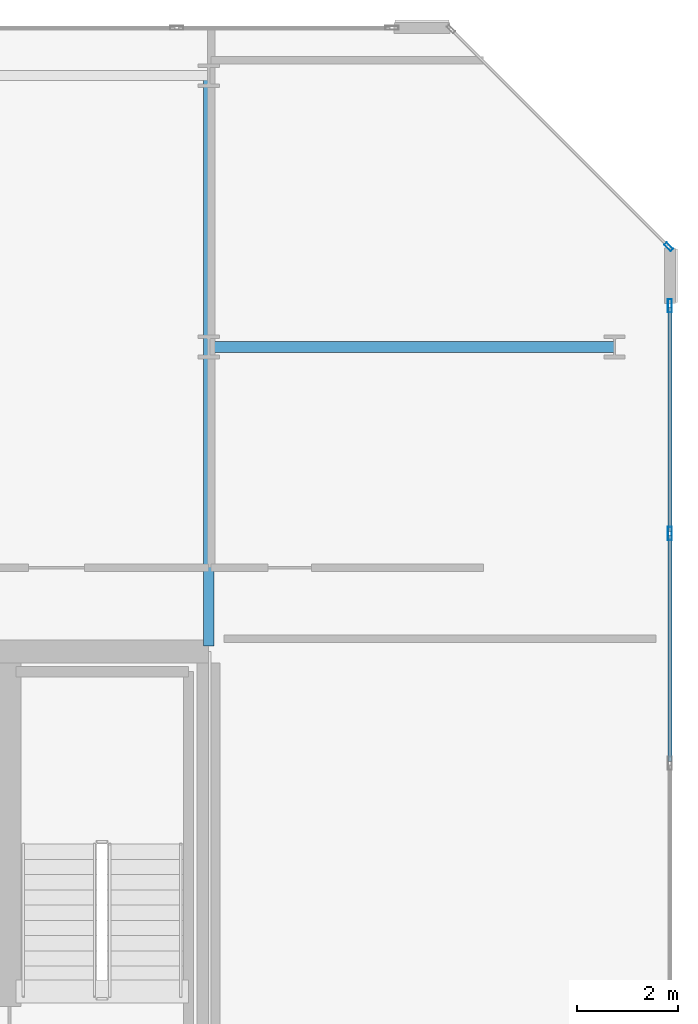
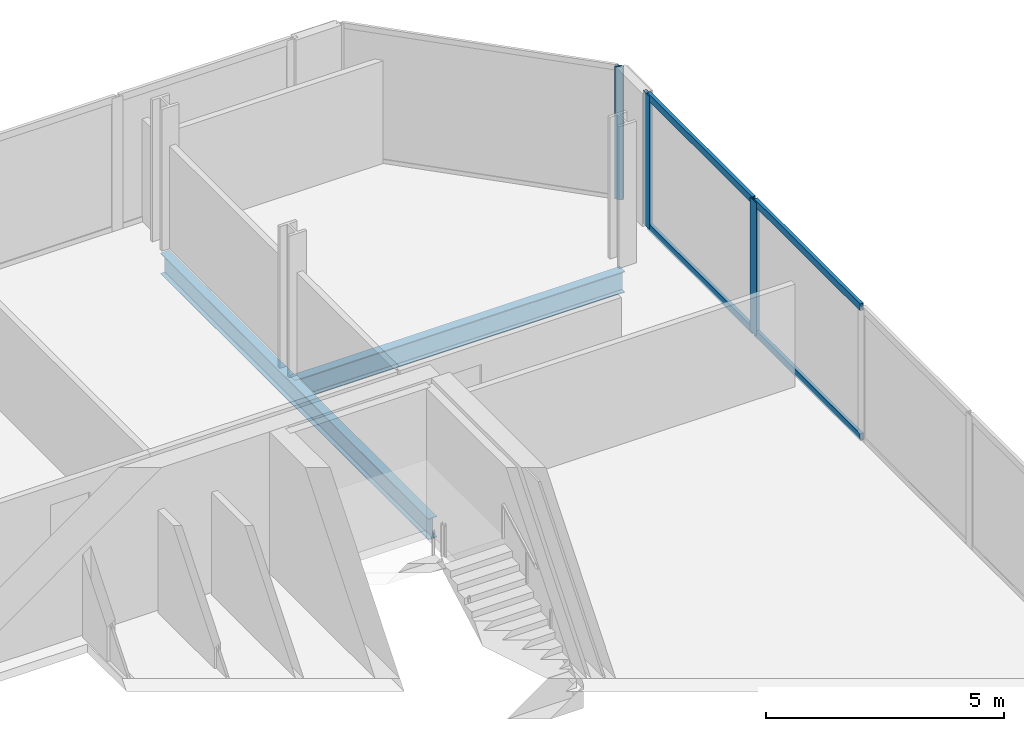
# One storey, part 11 of 19: 7 members, 2 beams, 2 elements without a shape of their own.
"""IFC4 building model written with IfcOpenShell, lengths in metres."""

from ifc_helpers import new_model, si_unit, direction, frame, origin, origin_2d, place, context, subcontext, project, spatial, hollow_rectangle, i_section, extrude, material, layer, layer_set, material_profile, profile_set, type_object, element, aggregate, save


model = new_model("IFC4")

# Units and contexts
model_context = context("Model", 3, precision=1e-05, world=origin(), true_north=direction((0.0, 1.0)))
body_context = subcontext(model_context, "Body", "Model", "MODEL_VIEW")
ifc_project = project(units=[si_unit("LENGTHUNIT", "METRE"), si_unit("AREAUNIT", "SQUARE_METRE"), si_unit("VOLUMEUNIT", "CUBIC_METRE"), si_unit("PLANEANGLEUNIT", "RADIAN"), si_unit("MASSUNIT", "GRAM", prefix="KILO")], contexts=[model_context])

# Site, building, storey
site_placement = place(None, origin())
site = spatial("IfcSite", under=ifc_project, at=site_placement, CompositionType="ELEMENT")
building_placement = place(site_placement, origin())
building = spatial("IfcBuilding", under=site, at=building_placement, Name="Tanjung Sevakor Pilgrim Tower", CompositionType="ELEMENT")
storey_placement = place(building_placement, frame((0.0, 0.0, 260.699951171875)))
storey = spatial("IfcBuildingStorey", under=building, at=storey_placement, Name="L73", CompositionType="ELEMENT", Elevation=260.699951171875)

# Beams
ifc_material_1 = material(Name="Steel S355J2", Category="steel")
ifc_material_profile_1 = material_profile(ifc_material_1, i_section(OverallWidth=0.2119140625, OverallDepth=0.54443359375, WebThickness=0.0126953125, FlangeThickness=0.021240234375, FilletRadius=0.0126953125, at=origin_2d()))
ifc_profile_set_1 = profile_set([ifc_material_profile_1], Name="Steel S355J2")
beam_type_1 = type_object("IfcBeamType", Name="BM-B-G5-UB_533x210x122", PredefinedType="BEAM", material=ifc_profile_set_1)
beam_1_placement = place(storey_placement, frame((90.0, 48.60009765625, -0.4921875), z_axis=(1.0, 0.0, 0.0), x_axis=(0.0, 1.0, 0.0)))
element("IfcBeam", 1, at=beam_1_placement, inside=storey, type_object=beam_type_1, Name="L73 East Peak Wing Girder Y48.6", PredefinedType="BEAM", context=body_context, shape_type="SweptSolid", body=[
    extrude(i_section(OverallWidth=0.2119140625, OverallDepth=0.54443359375, WebThickness=0.0126953125, FlangeThickness=0.021240234375, FilletRadius=0.0126953125, at=origin_2d()), origin(), (0.0, 0.0, 1.0), 8.0),
])
ifc_material_2 = material(Name="Steel S355J2", Category="steel")
ifc_material_profile_2 = material_profile(ifc_material_2, i_section(OverallWidth=0.210693359375, OverallDepth=0.53955078125, WebThickness=0.01171875, FlangeThickness=0.018798828125, FilletRadius=0.0126953125, at=origin_2d()))
ifc_profile_set_2 = profile_set([ifc_material_profile_2], Name="Steel S355J2")
beam_type_2 = type_object("IfcBeamType", Name="BM-B-G6-UB_533x210x109", PredefinedType="BEAM", material=ifc_profile_set_2)
beam_2_placement = place(storey_placement, frame((90.0, 42.7060546875, -0.48974609375), z_axis=(0.0, 1.0, 0.0), x_axis=(-1.0, 0.0, 0.0)))
element("IfcBeam", 2, at=beam_2_placement, inside=storey, type_object=beam_type_2, Name="L73 EAST Girder 010", PredefinedType="BEAM", context=body_context, shape_type="SweptSolid", body=[
    extrude(i_section(OverallWidth=0.210693359375, OverallDepth=0.53955078125, WebThickness=0.01171875, FlangeThickness=0.018798828125, FilletRadius=0.0126953125, at=origin_2d()), origin(), (0.0, 0.0, 1.0), 11.243896484375),
])

# Curtain wall, member
ifc_material_3 = material(Name="Aluminium 6063-T6 and Low-E Glass", Category="aluminium")
ifc_layer_1 = layer(ifc_material_3, 0.179931640625)
ifc_layer_set_1 = layer_set([ifc_layer_1], Name="CW-SYS-CHAM")
curtain_wall_type_1 = type_object("IfcCurtainWallType", Name="CW-SYS-CHAM", PredefinedType="NOTDEFINED", material=ifc_layer_set_1)
curtain_wall_1_placement = place(storey_placement, origin())
curtain_wall_1 = element("IfcCurtainWall", 3, at=curtain_wall_1_placement, inside=storey, type_object=curtain_wall_type_1, Name="L73 Curtain Wall CW-CHM-L73-EAST-3", PredefinedType="NOTDEFINED")
ifc_material_4 = material(Name="Aluminium 6063-T6", Category="aluminium")
ifc_material_profile_3 = material_profile(ifc_material_4, hollow_rectangle(XDim=0.06494140625, YDim=0.179931640625, WallThickness=0.00390625, at=origin_2d()))
ifc_profile_set_3 = profile_set([ifc_material_profile_3], Name="Aluminium 6063-T6")
member_type_1 = type_object("IfcMemberType", Name="TYPE-CWM-1", PredefinedType="MULLION", material=ifc_profile_set_3)
member_1_placement = place(storey_placement, frame((99.067138671875, 50.577392578125, 0.0), z_axis=(0.0, 0.0, 1.0), x_axis=(-0.707106781187, -0.707106781187, 0.0)))
member_1 = element("IfcMember", 4, at=member_1_placement, type_object=member_type_1, Name="CW-CHM mullion 1", PredefinedType="MULLION", context=body_context, shape_type="SweptSolid", body=[
    extrude(hollow_rectangle(XDim=0.06494140625, YDim=0.179931640625, WallThickness=0.00390625, at=origin_2d()), origin(), (0.0, 0.0, 1.0), 3.41015625),
])
aggregate(curtain_wall_1, [member_1])

# Curtain wall, members
ifc_material_5 = material(Name="Aluminium 6063-T6 and Low-E Glass", Category="aluminium")
ifc_layer_2 = layer(ifc_material_5, 0.219970703125)
ifc_layer_set_2 = layer_set([ifc_layer_2], Name="CW-SYS-CRNE")
curtain_wall_type_2 = type_object("IfcCurtainWallType", Name="CW-SYS-CRNE", PredefinedType="NOTDEFINED", material=ifc_layer_set_2)
curtain_wall_2_placement = place(storey_placement, origin())
curtain_wall_2 = element("IfcCurtainWall", 5, at=curtain_wall_2_placement, inside=storey, type_object=curtain_wall_type_2, Name="L73 Curtain Wall CW-CRN-L73-EAST-2-1", PredefinedType="NOTDEFINED")
ifc_material_6 = material(Name="Aluminium 6063-T6", Category="aluminium")
ifc_material_profile_4 = material_profile(ifc_material_6, hollow_rectangle(XDim=0.080078125, YDim=0.260009765625, WallThickness=0.0048828125, at=origin_2d()))
ifc_profile_set_4 = profile_set([ifc_material_profile_4], Name="Aluminium 6063-T6")
member_type_2 = type_object("IfcMemberType", Name="TYPE-CWM-3", PredefinedType="MULLION", material=ifc_profile_set_4)
member_2_placement = place(storey_placement, frame((99.090087890625, 44.924560546875, 0.0), z_axis=(0.0, 0.0, 1.0), x_axis=(-1.0, 0.0, 0.0)))
member_2 = element("IfcMember", 6, at=member_2_placement, type_object=member_type_2, Name="CW-CRE mullion 7", PredefinedType="MULLION", context=body_context, shape_type="SweptSolid", body=[
    extrude(hollow_rectangle(XDim=0.080078125, YDim=0.260009765625, WallThickness=0.0048828125, at=origin_2d()), origin(), (0.0, 0.0, 1.0), 3.41015625),
])
member_3_placement = place(storey_placement, frame((99.090087890625, 49.414306640625, 0.0), z_axis=(0.0, 0.0, 1.0), x_axis=(-1.0, 0.0, 0.0)))
member_3 = element("IfcMember", 7, at=member_3_placement, type_object=member_type_2, Name="CW-CRE mullion 8", PredefinedType="MULLION", context=body_context, shape_type="SweptSolid", body=[
    extrude(hollow_rectangle(XDim=0.080078125, YDim=0.260009765625, WallThickness=0.0048828125, at=origin_2d()), origin(), (0.0, 0.0, 1.0), 3.41015625),
])
ifc_material_7 = material(Name="Aluminium 6063-T6", Category="aluminium")
ifc_material_profile_5 = material_profile(ifc_material_7, hollow_rectangle(XDim=0.080078125, YDim=0.179931640625, WallThickness=0.0048828125, at=origin_2d()))
ifc_profile_set_5 = profile_set([ifc_material_profile_5], Name="Aluminium 6063-T6")
member_type_3 = type_object("IfcMemberType", Name="TYPE-CWT-3", PredefinedType="USERDEFINED", material=ifc_profile_set_5)
member_4_placement = place(storey_placement, frame((99.090087890625, 40.434814453125, 0.0400390625), z_axis=(0.0, 1.0, 0.0), x_axis=(-1.0, 0.0, 0.0)))
member_4 = element("IfcMember", 8, at=member_4_placement, type_object=member_type_3, Name="CW-CRE transom 6.1", ObjectType="TRANSOM", PredefinedType="USERDEFINED", context=body_context, shape_type="SweptSolid", body=[
    extrude(hollow_rectangle(XDim=0.080078125, YDim=0.179931640625, WallThickness=0.0048828125, at=origin_2d()), origin(), (0.0, 0.0, 1.0), 4.44970703125),
])
member_5_placement = place(storey_placement, frame((99.090087890625, 40.434814453125, 3.3701171875), z_axis=(0.0, 1.0, 0.0), x_axis=(-1.0, 0.0, 0.0)))
member_5 = element("IfcMember", 9, at=member_5_placement, type_object=member_type_3, Name="CW-CRE transom 6.2", ObjectType="TRANSOM", PredefinedType="USERDEFINED", context=body_context, shape_type="SweptSolid", body=[
    extrude(hollow_rectangle(XDim=0.080078125, YDim=0.179931640625, WallThickness=0.0048828125, at=origin_2d()), origin(), (0.0, 0.0, 1.0), 4.44970703125),
])
member_6_placement = place(storey_placement, frame((99.090087890625, 44.964599609375, 0.0400390625), z_axis=(0.0, 1.0, 0.0), x_axis=(-1.0, 0.0, 0.0)))
member_6 = element("IfcMember", 10, at=member_6_placement, type_object=member_type_3, Name="CW-CRE transom 7.1", ObjectType="TRANSOM", PredefinedType="USERDEFINED", context=body_context, shape_type="SweptSolid", body=[
    extrude(hollow_rectangle(XDim=0.080078125, YDim=0.179931640625, WallThickness=0.0048828125, at=origin_2d()), origin(), (0.0, 0.0, 1.0), 4.409912109375),
])
member_7_placement = place(storey_placement, frame((99.090087890625, 44.964599609375, 3.3701171875), z_axis=(0.0, 1.0, 0.0), x_axis=(-1.0, 0.0, 0.0)))
member_7 = element("IfcMember", 11, at=member_7_placement, type_object=member_type_3, Name="CW-CRE transom 7.2", ObjectType="TRANSOM", PredefinedType="USERDEFINED", context=body_context, shape_type="SweptSolid", body=[
    extrude(hollow_rectangle(XDim=0.080078125, YDim=0.179931640625, WallThickness=0.0048828125, at=origin_2d()), origin(), (0.0, 0.0, 1.0), 4.409912109375),
])
aggregate(curtain_wall_2, [member_2, member_3, member_4, member_5, member_6, member_7])

save(model, "model.ifc")
